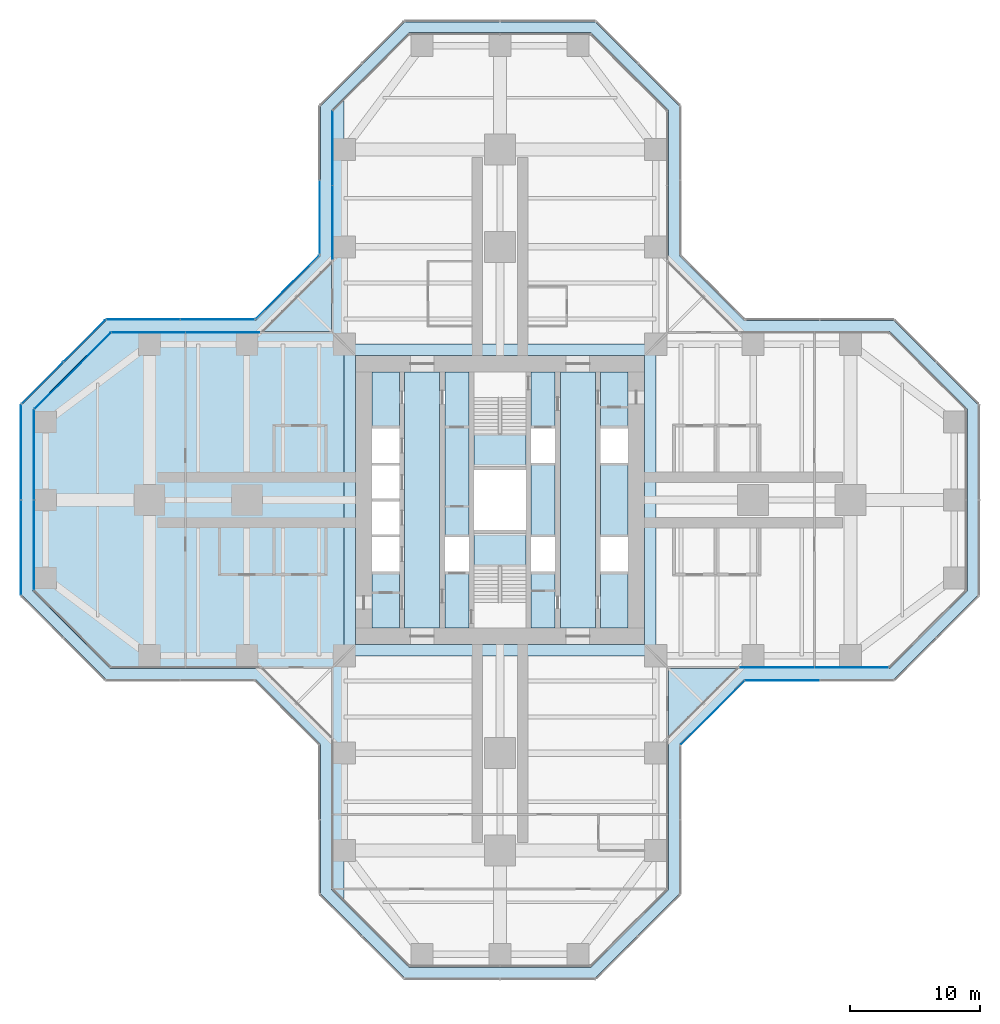
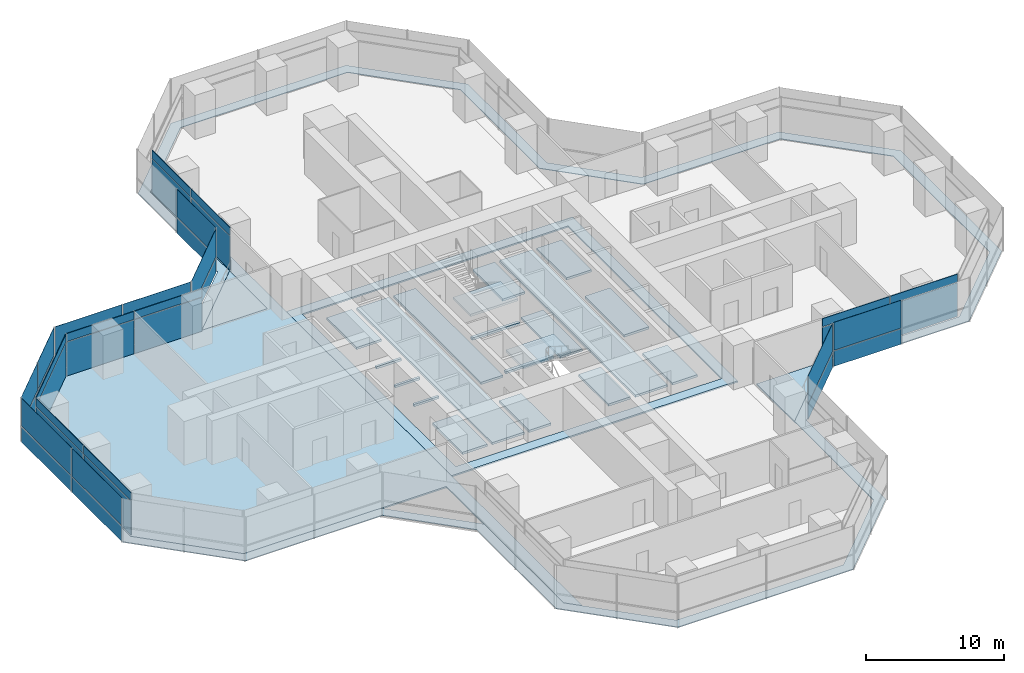
# One storey, part 15 of 22: 39 plates, 7 slabs, 14 elements without a shape of their own.
"""IFC4 building model written with IfcOpenShell, lengths in metres."""

from ifc_helpers import new_model, si_unit, direction, frame, origin, origin_2d, place, context, subcontext, project, spatial, polyline, rectangle, outline, extrude, material, layer, layer_set, type_object, element, aggregate, save


model = new_model("IFC4")

# Units and contexts
model_context = context("Model", 3, precision=1e-05, world=origin(), true_north=direction((0.0, 1.0)))
body_context = subcontext(model_context, "Body", "Model", "MODEL_VIEW")
ifc_project = project(units=[si_unit("LENGTHUNIT", "METRE"), si_unit("AREAUNIT", "SQUARE_METRE"), si_unit("VOLUMEUNIT", "CUBIC_METRE"), si_unit("PLANEANGLEUNIT", "RADIAN"), si_unit("MASSUNIT", "GRAM", prefix="KILO")], contexts=[model_context])

# Site, building, storey
site_placement = place(None, origin())
site = spatial("IfcSite", under=ifc_project, at=site_placement, CompositionType="ELEMENT")
building_placement = place(site_placement, origin())
building = spatial("IfcBuilding", under=site, at=building_placement, Name="Mizan Broadcast Tower", CompositionType="ELEMENT")
storey_placement = place(building_placement, frame((0.0, 0.0, 59.10009765625)))
storey = spatial("IfcBuildingStorey", under=building, at=storey_placement, Name="L11", CompositionType="ELEMENT", Elevation=59.10009765625)

# Plate
ifc_material_1 = material(Name="Aluminium grating", Category="aluminium")
ifc_layer_1 = layer(ifc_material_1, 0.050048828125)
ifc_layer_set_1 = layer_set([ifc_layer_1], Name="Aluminium grating")
plate_type_1 = type_object("IfcPlateType", Name="CAVITY GRATING", PredefinedType="USERDEFINED", material=ifc_layer_set_1)
plate_1_placement = place(storey_placement, frame((0.0, 0.0, -0.050048828125)))
element("IfcPlate", 1, at=plate_1_placement, inside=storey, type_object=plate_type_1, Name="Cavity grating L11", ObjectType="GRATING", PredefinedType="USERDEFINED", context=body_context, shape_type="SweptSolid", body=[
    extrude(outline(polyline([(13.820068359375, -18.839599609375), (18.839599609375, -13.820068359375), (30.339599609375, -13.820068359375), (36.820068359375, -7.339599609375), (36.820068359375, 7.339599609375), (30.339599609375, 13.820068359375), (18.839599609375, 13.820068359375), (13.820068359375, 18.839599609375), (13.820068359375, 30.339599609375), (7.339599609375, 36.820068359375), (-7.339599609375, 36.820068359375), (-13.820068359375, 30.339599609375), (-13.820068359375, 18.839599609375), (-18.839599609375, 13.820068359375), (-30.339599609375, 13.820068359375), (-36.820068359375, 7.339599609375), (-36.820068359375, -7.339599609375), (-30.339599609375, -13.820068359375), (-18.839599609375, -13.820068359375), (-13.820068359375, -18.839599609375), (-13.820068359375, -30.339599609375), (-7.339599609375, -36.820068359375), (7.339599609375, -36.820068359375), (13.820068359375, -30.339599609375), (13.820068359375, -18.839599609375)]), holes=[polyline([(36.0, 7.0), (36.0, -7.0), (30.0, -13.0), (18.5, -13.0), (13.0, -18.5), (13.0, -30.0), (7.0, -36.0), (-7.0, -36.0), (-13.0, -30.0), (-13.0, -18.5), (-18.5, -13.0), (-30.0, -13.0), (-36.0, -7.0), (-36.0, 7.0), (-30.0, 13.0), (-18.5, 13.0), (-13.0, 18.5), (-13.0, 30.0), (-7.0, 36.0), (7.0, 36.0), (13.0, 30.0), (13.0, 18.5), (18.5, 13.0), (30.0, 13.0), (36.0, 7.0)])]), origin(), (0.0, 0.0, 1.0), 0.050048828125),
])

# Slabs
ifc_material_2 = material(Name="Concrete C32/40", Category="concrete")
ifc_layer_2 = layer(ifc_material_2, 0.1298828125)
ifc_layer_set_2 = layer_set([ifc_layer_2], Name="Concrete C32/40")
slab_type_1 = type_object("IfcSlabType", Name="COMPOSITE DECK SLAB 130", PredefinedType="FLOOR", material=ifc_layer_set_2)
slab_1_placement = place(storey_placement, frame((0.0, 0.0, -0.130126953125)))
element("IfcSlab", 2, at=slab_1_placement, inside=storey, type_object=slab_type_1, Name="Floor slab L11 centre", PredefinedType="FLOOR", context=body_context, shape_type="SweptSolid", body=[
    extrude(outline(polyline([(-12.0, -12.0), (12.0, -12.0), (12.0, 12.0), (-12.0, 12.0), (-12.0, -12.0)]), holes=[polyline([(-11.14990234375, 11.14990234375), (11.14990234375, 11.14990234375), (11.14990234375, -11.14990234375), (-11.14990234375, -11.14990234375), (-11.14990234375, 11.14990234375)])]), origin(), (0.0, 0.0, 1.0), 0.130126953125),
])
slab_2_placement = place(storey_placement, frame((0.0, 0.0, -0.130126953125)))
element("IfcSlab", 3, at=slab_2_placement, inside=storey, type_object=slab_type_1, Name="Floor slab L11 west arm", PredefinedType="FLOOR", context=body_context, shape_type="SweptSolid", body=[
    extrude(outline(polyline([(-13.0, -30.0), (-12.0, -31.0), (-12.0, 31.0), (-13.0, 30.0), (-13.0, 13.0), (-30.0, 13.0), (-36.0, 7.0), (-36.0, -7.0), (-30.0, -13.0), (-13.0, -13.0), (-13.0, -30.0)])), origin(), (0.0, 0.0, 1.0), 0.130126953125),
])
ifc_material_3 = material(Name="Concrete C40/50", Category="concrete")
ifc_layer_3 = layer(ifc_material_3, 0.199951171875)
ifc_layer_set_3 = layer_set([ifc_layer_3], Name="Concrete C40/50")
slab_type_2 = type_object("IfcSlabType", Name="CORE FLOOR 200", PredefinedType="FLOOR", material=ifc_layer_set_3)
slab_3_placement = place(storey_placement, frame((0.0, 0.0, -0.2001953125)))
element("IfcSlab", 4, at=slab_3_placement, inside=storey, type_object=slab_type_2, Name="Core floor L11", PredefinedType="FLOOR", context=body_context, shape_type="SweptSolid", body=[
    extrude(outline(polyline([(-9.85009765625, -9.85009765625), (-7.75, -9.85009765625), (-7.75, -5.5), (-9.85009765625, -5.5), (-9.85009765625, -9.85009765625)])), origin(), (0.0, 0.0, 1.0), 0.2001953125),
    extrude(outline(polyline([(-9.85009765625, -2.85009765625), (-7.75, -2.85009765625), (-7.75, -2.64990234375), (-9.85009765625, -2.64990234375), (-9.85009765625, -2.85009765625)])), origin(), (0.0, 0.0, 1.0), 0.2001953125),
    extrude(outline(polyline([(-9.85009765625, -0.10009765625), (-7.75, -0.10009765625), (-7.75, 0.10009765625), (-9.85009765625, 0.10009765625), (-9.85009765625, -0.10009765625)])), origin(), (0.0, 0.0, 1.0), 0.2001953125),
    extrude(outline(polyline([(-9.85009765625, 2.64990234375), (-7.75, 2.64990234375), (-7.75, 2.85009765625), (-9.85009765625, 2.85009765625), (-9.85009765625, 2.64990234375)])), origin(), (0.0, 0.0, 1.0), 0.2001953125),
    extrude(outline(polyline([(-9.85009765625, 5.5), (-7.75, 5.5), (-7.75, 9.85009765625), (-9.85009765625, 9.85009765625), (-9.85009765625, 5.5)])), origin(), (0.0, 0.0, 1.0), 0.2001953125),
    extrude(outline(polyline([(-4.64990234375, 9.85009765625), (-7.35009765625, 9.85009765625), (-7.35009765625, -9.85009765625), (-4.64990234375, -9.85009765625), (-4.64990234375, 9.85009765625)])), origin(), (0.0, 0.0, 1.0), 0.2001953125),
    extrude(outline(polyline([(-4.25, -5.5), (-4.25, -9.85009765625), (-2.39990234375, -9.85009765625), (-2.39990234375, -5.5), (-4.25, -5.5)])), origin(), (0.0, 0.0, 1.0), 0.2001953125),
    extrude(outline(polyline([(-4.25, -2.85009765625), (-2.39990234375, -2.85009765625), (-2.39990234375, 9.85009765625), (-4.25, 9.85009765625), (-4.25, -2.85009765625)])), origin(), (0.0, 0.0, 1.0), 0.2001953125),
    extrude(outline(polyline([(2.0, -2.324951171875), (-2.0, -2.324951171875), (-2.0, -2.574951171875), (2.0, -2.574951171875), (2.0, -2.324951171875)])), origin(), (0.0, 0.0, 1.0), 0.2001953125),
    extrude(outline(polyline([(2.0, 2.574951171875), (-2.0, 2.574951171875), (-2.0, 2.324951171875), (2.0, 2.324951171875), (2.0, 2.574951171875)])), origin(), (0.0, 0.0, 1.0), 0.2001953125),
    extrude(outline(polyline([(4.25, -9.85009765625), (4.25, -5.5), (2.39990234375, -5.5), (2.39990234375, -9.85009765625), (4.25, -9.85009765625)])), origin(), (0.0, 0.0, 1.0), 0.2001953125),
    extrude(outline(polyline([(4.25, -2.85009765625), (4.25, 2.85009765625), (2.39990234375, 2.85009765625), (2.39990234375, -2.85009765625), (4.25, -2.85009765625)])), origin(), (0.0, 0.0, 1.0), 0.2001953125),
    extrude(outline(polyline([(4.25, 5.5), (4.25, 9.85009765625), (2.39990234375, 9.85009765625), (2.39990234375, 5.5), (4.25, 5.5)])), origin(), (0.0, 0.0, 1.0), 0.2001953125),
    extrude(outline(polyline([(4.64990234375, 9.85009765625), (4.64990234375, -9.85009765625), (7.35009765625, -9.85009765625), (7.35009765625, 9.85009765625), (4.64990234375, 9.85009765625)])), origin(), (0.0, 0.0, 1.0), 0.2001953125),
    extrude(outline(polyline([(9.85009765625, -9.85009765625), (9.85009765625, -5.5), (7.75, -5.5), (7.75, -9.85009765625), (9.85009765625, -9.85009765625)])), origin(), (0.0, 0.0, 1.0), 0.2001953125),
    extrude(outline(polyline([(7.75, 2.85009765625), (7.75, -2.85009765625), (9.85009765625, -2.85009765625), (9.85009765625, 2.85009765625), (7.75, 2.85009765625)])), origin(), (0.0, 0.0, 1.0), 0.2001953125),
    extrude(outline(polyline([(9.85009765625, 5.5), (9.85009765625, 9.85009765625), (7.75, 9.85009765625), (7.75, 5.5), (9.85009765625, 5.5)])), origin(), (0.0, 0.0, 1.0), 0.2001953125),
])

# Curtain wall, plates
ifc_material_4 = material(Name="Aluminium framed glazing", Category="aluminium")
curtain_wall_type_1 = type_object("IfcCurtainWallType", Name="INNER SKIN LOW ZONE", PredefinedType="USERDEFINED", material=ifc_material_4)
curtain_wall_1_placement = place(storey_placement, origin())
curtain_wall_1 = element("IfcCurtainWall", 5, at=curtain_wall_1_placement, inside=storey, type_object=curtain_wall_type_1, Name="Inner skin low zone L11 E side", ObjectType="INNER SKIN LOW ZONE", PredefinedType="USERDEFINED")
ifc_material_5 = material(Name="Double glazing, clear low-e", Category="glass")
ifc_layer_4 = layer(ifc_material_5, 0.028076171875)
ifc_layer_set_4 = layer_set([ifc_layer_4], Name="Double glazing, clear low-e")
plate_type_2 = type_object("IfcPlateType", Name="INNER SKIN GLAZING UNIT", PredefinedType="CURTAIN_PANEL", material=ifc_layer_set_4)
plate_2_placement = place(storey_placement, frame((21.379638671875, -12.89990234375, 0.0), z_axis=(0.0, 0.0, 1.0), x_axis=(1.0, 0.0, 0.0)))
plate_2 = element("IfcPlate", 6, at=plate_2_placement, type_object=plate_type_2, Name="Inner skin low zone L11 E side panel 1.1", PredefinedType="CURTAIN_PANEL", context=body_context, shape_type="SweptSolid", body=[
    extrude(rectangle(XDim=5.639404296875, YDim=0.028076171875, at=origin_2d()), origin(), (0.0, 0.0, 1.0), 3.0),
])
plate_3_placement = place(storey_placement, frame((27.078857421875, -12.89990234375, 0.0), z_axis=(0.0, 0.0, 1.0), x_axis=(1.0, 0.0, 0.0)))
plate_3 = element("IfcPlate", 7, at=plate_3_placement, type_object=plate_type_2, Name="Inner skin low zone L11 E side panel 2.1", PredefinedType="CURTAIN_PANEL", context=body_context, shape_type="SweptSolid", body=[
    extrude(rectangle(XDim=5.639404296875, YDim=0.028076171875, at=origin_2d()), origin(), (0.0, 0.0, 1.0), 3.0),
])

curtain_wall_2_placement = place(storey_placement, origin())
curtain_wall_2 = element("IfcCurtainWall", 8, at=curtain_wall_2_placement, inside=storey, type_object=curtain_wall_type_1, Name="Inner skin low zone L11 N side", ObjectType="INNER SKIN LOW ZONE", PredefinedType="USERDEFINED")
plate_4_placement = place(storey_placement, frame((-12.89990234375, 27.078857421875, 0.0), z_axis=(0.0, 0.0, 1.0), x_axis=(0.0, -1.0, 0.0)))
plate_4 = element("IfcPlate", 9, at=plate_4_placement, type_object=plate_type_2, Name="Inner skin low zone L11 N side panel 1.1", PredefinedType="CURTAIN_PANEL", context=body_context, shape_type="SweptSolid", body=[
    extrude(rectangle(XDim=5.639404296875, YDim=0.028076171875, at=origin_2d()), origin(), (0.0, 0.0, 1.0), 3.0),
])
plate_5_placement = place(storey_placement, frame((-12.89990234375, 21.379638671875, 0.0), z_axis=(0.0, 0.0, 1.0), x_axis=(0.0, -1.0, 0.0)))
plate_5 = element("IfcPlate", 10, at=plate_5_placement, type_object=plate_type_2, Name="Inner skin low zone L11 N side panel 2.1", PredefinedType="CURTAIN_PANEL", context=body_context, shape_type="SweptSolid", body=[
    extrude(rectangle(XDim=5.639404296875, YDim=0.028076171875, at=origin_2d()), origin(), (0.0, 0.0, 1.0), 3.0),
])

curtain_wall_3_placement = place(storey_placement, origin())
curtain_wall_3 = element("IfcCurtainWall", 11, at=curtain_wall_3_placement, inside=storey, type_object=curtain_wall_type_1, Name="Inner skin low zone L11 W side", ObjectType="INNER SKIN LOW ZONE", PredefinedType="USERDEFINED")
plate_6_placement = place(storey_placement, frame((-21.379638671875, 12.89990234375, 0.0), z_axis=(0.0, 0.0, 1.0), x_axis=(-1.0, 0.0, 0.0)))
plate_6 = element("IfcPlate", 12, at=plate_6_placement, type_object=plate_type_2, Name="Inner skin low zone L11 W side panel 1.1", PredefinedType="CURTAIN_PANEL", context=body_context, shape_type="SweptSolid", body=[
    extrude(rectangle(XDim=5.639404296875, YDim=0.028076171875, at=origin_2d()), origin(), (0.0, 0.0, 1.0), 3.0),
])
plate_7_placement = place(storey_placement, frame((-27.078857421875, 12.89990234375, 0.0), z_axis=(0.0, 0.0, 1.0), x_axis=(-1.0, 0.0, 0.0)))
plate_7 = element("IfcPlate", 13, at=plate_7_placement, type_object=plate_type_2, Name="Inner skin low zone L11 W side panel 2.1", PredefinedType="CURTAIN_PANEL", context=body_context, shape_type="SweptSolid", body=[
    extrude(rectangle(XDim=5.639404296875, YDim=0.028076171875, at=origin_2d()), origin(), (0.0, 0.0, 1.0), 3.0),
])

# Curtain wall, plate
curtain_wall_4_placement = place(storey_placement, origin())
curtain_wall_4 = element("IfcCurtainWall", 14, at=curtain_wall_4_placement, inside=storey, type_object=curtain_wall_type_1, Name="Inner skin low zone L11 W chamfer", ObjectType="INNER SKIN LOW ZONE", PredefinedType="USERDEFINED")
plate_8_placement = place(storey_placement, frame((-32.92919921875, 9.92919921875, 0.0), z_axis=(0.0, 0.0, 1.0), x_axis=(-0.707106781187, -0.707106781187, 0.0)))
plate_8 = element("IfcPlate", 15, at=plate_8_placement, type_object=plate_type_2, Name="Inner skin low zone L11 W chamfer panel 1.1", PredefinedType="CURTAIN_PANEL", context=body_context, shape_type="SweptSolid", body=[
    extrude(rectangle(XDim=8.282470703125, YDim=0.028076171875, at=origin_2d()), origin(), (0.0, 0.0, 1.0), 3.0),
])

# Curtain wall, plates
curtain_wall_5_placement = place(storey_placement, origin())
curtain_wall_5 = element("IfcCurtainWall", 16, at=curtain_wall_5_placement, inside=storey, type_object=curtain_wall_type_1, Name="Inner skin low zone L11 W end", ObjectType="INNER SKIN LOW ZONE", PredefinedType="USERDEFINED")
plate_9_placement = place(storey_placement, frame((-35.89990234375, 3.46435546875, 0.0), z_axis=(0.0, 0.0, 1.0), x_axis=(0.0, -1.0, 0.0)))
plate_9 = element("IfcPlate", 17, at=plate_9_placement, type_object=plate_type_2, Name="Inner skin low zone L11 W end panel 1.1", PredefinedType="CURTAIN_PANEL", context=body_context, shape_type="SweptSolid", body=[
    extrude(rectangle(XDim=6.86865234375, YDim=0.028076171875, at=origin_2d()), origin(), (0.0, 0.0, 1.0), 3.0),
])
plate_10_placement = place(storey_placement, frame((-35.89990234375, -3.46435546875, 0.0), z_axis=(0.0, 0.0, 1.0), x_axis=(0.0, -1.0, 0.0)))
plate_10 = element("IfcPlate", 18, at=plate_10_placement, type_object=plate_type_2, Name="Inner skin low zone L11 W end panel 2.1", PredefinedType="CURTAIN_PANEL", context=body_context, shape_type="SweptSolid", body=[
    extrude(rectangle(XDim=6.86865234375, YDim=0.028076171875, at=origin_2d()), origin(), (0.0, 0.0, 1.0), 3.0),
])

# Plate
ifc_material_6 = material(Name="Insulated aluminium spandrel panel, pale anodised", Category="aluminium")
ifc_layer_5 = layer(ifc_material_6, 0.050048828125)
ifc_layer_set_5 = layer_set([ifc_layer_5], Name="Insulated aluminium spandrel panel, pale anodised")
plate_type_3 = type_object("IfcPlateType", Name="INNER SKIN SPANDREL PANEL", PredefinedType="CURTAIN_PANEL", material=ifc_layer_set_5)
plate_11_placement = place(storey_placement, frame((21.379638671875, -12.89990234375, 3.059814453125), z_axis=(0.0, 0.0, 1.0), x_axis=(1.0, 0.0, 0.0)))
plate_11 = element("IfcPlate", 19, at=plate_11_placement, type_object=plate_type_3, Name="Inner skin low zone L11 E side panel 1.2", PredefinedType="CURTAIN_PANEL", context=body_context, shape_type="SweptSolid", body=[
    extrude(rectangle(XDim=5.639404296875, YDim=0.050048828125, at=origin_2d()), origin(), (0.0, 0.0, 1.0), 0.7099609375),
])

plate_12_placement = place(storey_placement, frame((27.078857421875, -12.89990234375, 3.059814453125), z_axis=(0.0, 0.0, 1.0), x_axis=(1.0, 0.0, 0.0)))
plate_12 = element("IfcPlate", 20, at=plate_12_placement, type_object=plate_type_3, Name="Inner skin low zone L11 E side panel 2.2", PredefinedType="CURTAIN_PANEL", context=body_context, shape_type="SweptSolid", body=[
    extrude(rectangle(XDim=5.639404296875, YDim=0.050048828125, at=origin_2d()), origin(), (0.0, 0.0, 1.0), 0.7099609375),
])

aggregate(curtain_wall_1, [plate_2, plate_11, plate_3, plate_12])

plate_13_placement = place(storey_placement, frame((-12.89990234375, 27.078857421875, 3.059814453125), z_axis=(0.0, 0.0, 1.0), x_axis=(0.0, -1.0, 0.0)))
plate_13 = element("IfcPlate", 21, at=plate_13_placement, type_object=plate_type_3, Name="Inner skin low zone L11 N side panel 1.2", PredefinedType="CURTAIN_PANEL", context=body_context, shape_type="SweptSolid", body=[
    extrude(rectangle(XDim=5.639404296875, YDim=0.050048828125, at=origin_2d()), origin(), (0.0, 0.0, 1.0), 0.7099609375),
])

plate_14_placement = place(storey_placement, frame((-12.89990234375, 21.379638671875, 3.059814453125), z_axis=(0.0, 0.0, 1.0), x_axis=(0.0, -1.0, 0.0)))
plate_14 = element("IfcPlate", 22, at=plate_14_placement, type_object=plate_type_3, Name="Inner skin low zone L11 N side panel 2.2", PredefinedType="CURTAIN_PANEL", context=body_context, shape_type="SweptSolid", body=[
    extrude(rectangle(XDim=5.639404296875, YDim=0.050048828125, at=origin_2d()), origin(), (0.0, 0.0, 1.0), 0.7099609375),
])

aggregate(curtain_wall_2, [plate_4, plate_13, plate_5, plate_14])

plate_15_placement = place(storey_placement, frame((-21.379638671875, 12.89990234375, 3.059814453125), z_axis=(0.0, 0.0, 1.0), x_axis=(-1.0, 0.0, 0.0)))
plate_15 = element("IfcPlate", 23, at=plate_15_placement, type_object=plate_type_3, Name="Inner skin low zone L11 W side panel 1.2", PredefinedType="CURTAIN_PANEL", context=body_context, shape_type="SweptSolid", body=[
    extrude(rectangle(XDim=5.639404296875, YDim=0.050048828125, at=origin_2d()), origin(), (0.0, 0.0, 1.0), 0.7099609375),
])

plate_16_placement = place(storey_placement, frame((-27.078857421875, 12.89990234375, 3.059814453125), z_axis=(0.0, 0.0, 1.0), x_axis=(-1.0, 0.0, 0.0)))
plate_16 = element("IfcPlate", 24, at=plate_16_placement, type_object=plate_type_3, Name="Inner skin low zone L11 W side panel 2.2", PredefinedType="CURTAIN_PANEL", context=body_context, shape_type="SweptSolid", body=[
    extrude(rectangle(XDim=5.639404296875, YDim=0.050048828125, at=origin_2d()), origin(), (0.0, 0.0, 1.0), 0.7099609375),
])

aggregate(curtain_wall_3, [plate_6, plate_15, plate_7, plate_16])

plate_17_placement = place(storey_placement, frame((-32.92919921875, 9.92919921875, 3.059814453125), z_axis=(0.0, 0.0, 1.0), x_axis=(-0.707106781187, -0.707106781187, 0.0)))
plate_17 = element("IfcPlate", 25, at=plate_17_placement, type_object=plate_type_3, Name="Inner skin low zone L11 W chamfer panel 1.2", PredefinedType="CURTAIN_PANEL", context=body_context, shape_type="SweptSolid", body=[
    extrude(rectangle(XDim=8.282470703125, YDim=0.050048828125, at=origin_2d()), origin(), (0.0, 0.0, 1.0), 0.7099609375),
])

aggregate(curtain_wall_4, [plate_8, plate_17])

plate_18_placement = place(storey_placement, frame((-35.89990234375, 3.46435546875, 3.059814453125), z_axis=(0.0, 0.0, 1.0), x_axis=(0.0, -1.0, 0.0)))
plate_18 = element("IfcPlate", 26, at=plate_18_placement, type_object=plate_type_3, Name="Inner skin low zone L11 W end panel 1.2", PredefinedType="CURTAIN_PANEL", context=body_context, shape_type="SweptSolid", body=[
    extrude(rectangle(XDim=6.86865234375, YDim=0.050048828125, at=origin_2d()), origin(), (0.0, 0.0, 1.0), 0.7099609375),
])

plate_19_placement = place(storey_placement, frame((-35.89990234375, -3.46435546875, 3.059814453125), z_axis=(0.0, 0.0, 1.0), x_axis=(0.0, -1.0, 0.0)))
plate_19 = element("IfcPlate", 27, at=plate_19_placement, type_object=plate_type_3, Name="Inner skin low zone L11 W end panel 2.2", PredefinedType="CURTAIN_PANEL", context=body_context, shape_type="SweptSolid", body=[
    extrude(rectangle(XDim=6.86865234375, YDim=0.050048828125, at=origin_2d()), origin(), (0.0, 0.0, 1.0), 0.7099609375),
])

aggregate(curtain_wall_5, [plate_9, plate_18, plate_10, plate_19])

# Curtain wall, plates
ifc_material_7 = material(Name="Aluminium framed glazing", Category="aluminium")
curtain_wall_type_2 = type_object("IfcCurtainWallType", Name="OUTER SKIN", PredefinedType="USERDEFINED", material=ifc_material_7)
curtain_wall_6_placement = place(storey_placement, origin())
curtain_wall_6 = element("IfcCurtainWall", 28, at=curtain_wall_6_placement, inside=storey, type_object=curtain_wall_type_2, Name="Outer skin L11 W chamfer", ObjectType="OUTER SKIN", PredefinedType="USERDEFINED")
ifc_material_8 = material(Name="Laminated clear glass", Category="glass")
ifc_layer_6 = layer(ifc_material_8, 0.02001953125)
ifc_layer_set_6 = layer_set([ifc_layer_6], Name="Laminated clear glass")
plate_type_4 = type_object("IfcPlateType", Name="OUTER SKIN CLEAR GLASS", PredefinedType="CURTAIN_PANEL", material=ifc_layer_set_6)
plate_20_placement = place(storey_placement, frame((-16.386474609375, 16.386474609375, -0.000244140625), z_axis=(0.0, 0.0, 1.0), x_axis=(-0.707106781187, -0.707106781187, 0.0)))
plate_20 = element("IfcPlate", 29, at=plate_20_placement, type_object=plate_type_4, Name="Outer skin L11 W chamfer panel 1.1", PredefinedType="CURTAIN_PANEL", context=body_context, shape_type="SweptSolid", body=[
    extrude(rectangle(XDim=6.87255859375, YDim=0.02001953125, at=origin_2d()), origin(), (0.0, 0.0, 1.0), 1.3701171875),
])
plate_21_placement = place(storey_placement, frame((-16.386474609375, 16.386474609375, 1.4296875), z_axis=(0.0, 0.0, 1.0), x_axis=(-0.707106781187, -0.707106781187, 0.0)))
plate_21 = element("IfcPlate", 30, at=plate_21_placement, type_object=plate_type_4, Name="Outer skin L11 W chamfer panel 1.2", PredefinedType="CURTAIN_PANEL", context=body_context, shape_type="SweptSolid", body=[
    extrude(rectangle(XDim=6.87255859375, YDim=0.02001953125, at=origin_2d()), origin(), (0.0, 0.0, 1.0), 2.469970703125),
])
aggregate(curtain_wall_6, [plate_20, plate_21])

curtain_wall_7_placement = place(storey_placement, origin())
curtain_wall_7 = element("IfcCurtainWall", 31, at=curtain_wall_7_placement, inside=storey, type_object=curtain_wall_type_2, Name="Outer skin L11 W side", ObjectType="OUTER SKIN", PredefinedType="USERDEFINED")
plate_22_placement = place(storey_placement, frame((-21.767822265625, 13.89990234375, -0.000244140625), z_axis=(0.0, 0.0, 1.0), x_axis=(-1.0, 0.0, 0.0)))
plate_22 = element("IfcPlate", 32, at=plate_22_placement, type_object=plate_type_4, Name="Outer skin L11 W side panel 1.1", PredefinedType="CURTAIN_PANEL", context=body_context, shape_type="SweptSolid", body=[
    extrude(rectangle(XDim=5.6298828125, YDim=0.02001953125, at=origin_2d()), origin(), (0.0, 0.0, 1.0), 1.3701171875),
])
plate_23_placement = place(storey_placement, frame((-21.767822265625, 13.89990234375, 1.4296875), z_axis=(0.0, 0.0, 1.0), x_axis=(-1.0, 0.0, 0.0)))
plate_23 = element("IfcPlate", 33, at=plate_23_placement, type_object=plate_type_4, Name="Outer skin L11 W side panel 1.2", PredefinedType="CURTAIN_PANEL", context=body_context, shape_type="SweptSolid", body=[
    extrude(rectangle(XDim=5.6298828125, YDim=0.02001953125, at=origin_2d()), origin(), (0.0, 0.0, 1.0), 2.469970703125),
])
plate_24_placement = place(storey_placement, frame((-27.477783203125, 13.89990234375, -0.000244140625), z_axis=(0.0, 0.0, 1.0), x_axis=(-1.0, 0.0, 0.0)))
plate_24 = element("IfcPlate", 34, at=plate_24_placement, type_object=plate_type_4, Name="Outer skin L11 W side panel 2.1", PredefinedType="CURTAIN_PANEL", context=body_context, shape_type="SweptSolid", body=[
    extrude(rectangle(XDim=5.6298828125, YDim=0.02001953125, at=origin_2d()), origin(), (0.0, 0.0, 1.0), 1.3701171875),
])
plate_25_placement = place(storey_placement, frame((-27.477783203125, 13.89990234375, 1.4296875), z_axis=(0.0, 0.0, 1.0), x_axis=(-1.0, 0.0, 0.0)))
plate_25 = element("IfcPlate", 35, at=plate_25_placement, type_object=plate_type_4, Name="Outer skin L11 W side panel 2.2", PredefinedType="CURTAIN_PANEL", context=body_context, shape_type="SweptSolid", body=[
    extrude(rectangle(XDim=5.6298828125, YDim=0.02001953125, at=origin_2d()), origin(), (0.0, 0.0, 1.0), 2.469970703125),
])
aggregate(curtain_wall_7, [plate_22, plate_23, plate_24, plate_25])

curtain_wall_8_placement = place(storey_placement, origin())
curtain_wall_8 = element("IfcCurtainWall", 36, at=curtain_wall_8_placement, inside=storey, type_object=curtain_wall_type_2, Name="Outer skin L11 W chamfer", ObjectType="OUTER SKIN", PredefinedType="USERDEFINED")
plate_26_placement = place(storey_placement, frame((-32.018798828125, 12.254150390625, -0.000244140625), z_axis=(0.0, 0.0, 1.0), x_axis=(-0.707106781187, -0.707106781187, 0.0)))
plate_26 = element("IfcPlate", 37, at=plate_26_placement, type_object=plate_type_4, Name="Outer skin L11 W chamfer panel 1.1", PredefinedType="CURTAIN_PANEL", context=body_context, shape_type="SweptSolid", body=[
    extrude(rectangle(XDim=4.495361328125, YDim=0.02001953125, at=origin_2d()), origin(), (0.0, 0.0, 1.0), 1.3701171875),
])
plate_27_placement = place(storey_placement, frame((-32.018798828125, 12.254150390625, 1.4296875), z_axis=(0.0, 0.0, 1.0), x_axis=(-0.707106781187, -0.707106781187, 0.0)))
plate_27 = element("IfcPlate", 38, at=plate_27_placement, type_object=plate_type_4, Name="Outer skin L11 W chamfer panel 1.2", PredefinedType="CURTAIN_PANEL", context=body_context, shape_type="SweptSolid", body=[
    extrude(rectangle(XDim=4.495361328125, YDim=0.02001953125, at=origin_2d()), origin(), (0.0, 0.0, 1.0), 2.469970703125),
])

curtain_wall_9_placement = place(storey_placement, origin())
curtain_wall_9 = element("IfcCurtainWall", 39, at=curtain_wall_9_placement, inside=storey, type_object=curtain_wall_type_2, Name="Outer skin L11 W end", ObjectType="OUTER SKIN", PredefinedType="USERDEFINED")
plate_28_placement = place(storey_placement, frame((-36.89990234375, 3.66650390625, -0.000244140625), z_axis=(0.0, 0.0, 1.0), x_axis=(0.0, -1.0, 0.0)))
plate_28 = element("IfcPlate", 40, at=plate_28_placement, type_object=plate_type_4, Name="Outer skin L11 W end panel 1.1", PredefinedType="CURTAIN_PANEL", context=body_context, shape_type="SweptSolid", body=[
    extrude(rectangle(XDim=7.252685546875, YDim=0.02001953125, at=origin_2d()), origin(), (0.0, 0.0, 1.0), 1.3701171875),
])
plate_29_placement = place(storey_placement, frame((-36.89990234375, 3.66650390625, 1.4296875), z_axis=(0.0, 0.0, 1.0), x_axis=(0.0, -1.0, 0.0)))
plate_29 = element("IfcPlate", 41, at=plate_29_placement, type_object=plate_type_4, Name="Outer skin L11 W end panel 1.2", PredefinedType="CURTAIN_PANEL", context=body_context, shape_type="SweptSolid", body=[
    extrude(rectangle(XDim=7.252685546875, YDim=0.02001953125, at=origin_2d()), origin(), (0.0, 0.0, 1.0), 2.469970703125),
])

curtain_wall_10_placement = place(storey_placement, origin())
curtain_wall_10 = element("IfcCurtainWall", 42, at=curtain_wall_10_placement, inside=storey, type_object=curtain_wall_type_2, Name="Outer skin L11 E chamfer", ObjectType="OUTER SKIN", PredefinedType="USERDEFINED")
plate_30_placement = place(storey_placement, frame((16.386474609375, -16.386474609375, -0.000244140625), z_axis=(0.0, 0.0, 1.0), x_axis=(0.707106781187, 0.707106781187, 0.0)))
plate_30 = element("IfcPlate", 43, at=plate_30_placement, type_object=plate_type_4, Name="Outer skin L11 E chamfer panel 1.1", PredefinedType="CURTAIN_PANEL", context=body_context, shape_type="SweptSolid", body=[
    extrude(rectangle(XDim=6.87255859375, YDim=0.02001953125, at=origin_2d()), origin(), (0.0, 0.0, 1.0), 1.3701171875),
])
plate_31_placement = place(storey_placement, frame((16.386474609375, -16.386474609375, 1.4296875), z_axis=(0.0, 0.0, 1.0), x_axis=(0.707106781187, 0.707106781187, 0.0)))
plate_31 = element("IfcPlate", 44, at=plate_31_placement, type_object=plate_type_4, Name="Outer skin L11 E chamfer panel 1.2", PredefinedType="CURTAIN_PANEL", context=body_context, shape_type="SweptSolid", body=[
    extrude(rectangle(XDim=6.87255859375, YDim=0.02001953125, at=origin_2d()), origin(), (0.0, 0.0, 1.0), 2.469970703125),
])
aggregate(curtain_wall_10, [plate_30, plate_31])

curtain_wall_11_placement = place(storey_placement, origin())
curtain_wall_11 = element("IfcCurtainWall", 45, at=curtain_wall_11_placement, inside=storey, type_object=curtain_wall_type_2, Name="Outer skin L11 E side", ObjectType="OUTER SKIN", PredefinedType="USERDEFINED")
plate_32_placement = place(storey_placement, frame((21.767822265625, -13.89990234375, -0.000244140625), z_axis=(0.0, 0.0, 1.0), x_axis=(1.0, 0.0, 0.0)))
plate_32 = element("IfcPlate", 46, at=plate_32_placement, type_object=plate_type_4, Name="Outer skin L11 E side panel 1.1", PredefinedType="CURTAIN_PANEL", context=body_context, shape_type="SweptSolid", body=[
    extrude(rectangle(XDim=5.6298828125, YDim=0.02001953125, at=origin_2d()), origin(), (0.0, 0.0, 1.0), 1.3701171875),
])
plate_33_placement = place(storey_placement, frame((21.767822265625, -13.89990234375, 1.4296875), z_axis=(0.0, 0.0, 1.0), x_axis=(1.0, 0.0, 0.0)))
plate_33 = element("IfcPlate", 47, at=plate_33_placement, type_object=plate_type_4, Name="Outer skin L11 E side panel 1.2", PredefinedType="CURTAIN_PANEL", context=body_context, shape_type="SweptSolid", body=[
    extrude(rectangle(XDim=5.6298828125, YDim=0.02001953125, at=origin_2d()), origin(), (0.0, 0.0, 1.0), 2.469970703125),
])
aggregate(curtain_wall_11, [plate_32, plate_33])

curtain_wall_12_placement = place(storey_placement, origin())
curtain_wall_12 = element("IfcCurtainWall", 48, at=curtain_wall_12_placement, inside=storey, type_object=curtain_wall_type_2, Name="Outer skin L11 N side", ObjectType="OUTER SKIN", PredefinedType="USERDEFINED")
ifc_material_9 = material(Name="Perforated aluminium, pale anodised", Category="aluminium")
ifc_layer_7 = layer(ifc_material_9, 0.011962890625)
ifc_layer_set_7 = layer_set([ifc_layer_7], Name="Perforated aluminium, pale anodised")
plate_type_5 = type_object("IfcPlateType", Name="OUTER SKIN PERFORATED SCREEN", PredefinedType="USERDEFINED", material=ifc_layer_set_7)
plate_34_placement = place(storey_placement, frame((-13.89990234375, 21.767822265625, -0.000244140625), z_axis=(0.0, 0.0, 1.0), x_axis=(0.0, -1.0, 0.0)))
plate_34 = element("IfcPlate", 49, at=plate_34_placement, type_object=plate_type_5, Name="Outer skin L11 N side panel 2.1", ObjectType="SCREEN", PredefinedType="USERDEFINED", context=body_context, shape_type="SweptSolid", body=[
    extrude(rectangle(XDim=5.6298828125, YDim=0.011962890625, at=origin_2d()), origin(), (0.0, 0.0, 1.0), 1.3701171875),
])
plate_35_placement = place(storey_placement, frame((-13.89990234375, 21.767822265625, 1.4296875), z_axis=(0.0, 0.0, 1.0), x_axis=(0.0, -1.0, 0.0)))
plate_35 = element("IfcPlate", 50, at=plate_35_placement, type_object=plate_type_5, Name="Outer skin L11 N side panel 2.2", ObjectType="SCREEN", PredefinedType="USERDEFINED", context=body_context, shape_type="SweptSolid", body=[
    extrude(rectangle(XDim=5.6298828125, YDim=0.011962890625, at=origin_2d()), origin(), (0.0, 0.0, 1.0), 2.469970703125),
])
aggregate(curtain_wall_12, [plate_34, plate_35])

# Plate
plate_36_placement = place(storey_placement, frame((-35.254150390625, 9.018798828125, -0.000244140625), z_axis=(0.0, 0.0, 1.0), x_axis=(-0.707106781187, -0.707106781187, 0.0)))
plate_36 = element("IfcPlate", 51, at=plate_36_placement, type_object=plate_type_5, Name="Outer skin L11 W chamfer panel 2.1", ObjectType="SCREEN", PredefinedType="USERDEFINED", context=body_context, shape_type="SweptSolid", body=[
    extrude(rectangle(XDim=4.495361328125, YDim=0.011962890625, at=origin_2d()), origin(), (0.0, 0.0, 1.0), 1.3701171875),
])

plate_37_placement = place(storey_placement, frame((-35.254150390625, 9.018798828125, 1.4296875), z_axis=(0.0, 0.0, 1.0), x_axis=(-0.707106781187, -0.707106781187, 0.0)))
plate_37 = element("IfcPlate", 52, at=plate_37_placement, type_object=plate_type_5, Name="Outer skin L11 W chamfer panel 2.2", ObjectType="SCREEN", PredefinedType="USERDEFINED", context=body_context, shape_type="SweptSolid", body=[
    extrude(rectangle(XDim=4.495361328125, YDim=0.011962890625, at=origin_2d()), origin(), (0.0, 0.0, 1.0), 2.469970703125),
])

aggregate(curtain_wall_8, [plate_26, plate_27, plate_36, plate_37])

plate_38_placement = place(storey_placement, frame((-36.89990234375, -3.66650390625, -0.000244140625), z_axis=(0.0, 0.0, 1.0), x_axis=(0.0, -1.0, 0.0)))
plate_38 = element("IfcPlate", 53, at=plate_38_placement, type_object=plate_type_5, Name="Outer skin L11 W end panel 2.1", ObjectType="SCREEN", PredefinedType="USERDEFINED", context=body_context, shape_type="SweptSolid", body=[
    extrude(rectangle(XDim=7.252685546875, YDim=0.011962890625, at=origin_2d()), origin(), (0.0, 0.0, 1.0), 1.3701171875),
])

plate_39_placement = place(storey_placement, frame((-36.89990234375, -3.66650390625, 1.4296875), z_axis=(0.0, 0.0, 1.0), x_axis=(0.0, -1.0, 0.0)))
plate_39 = element("IfcPlate", 54, at=plate_39_placement, type_object=plate_type_5, Name="Outer skin L11 W end panel 2.2", ObjectType="SCREEN", PredefinedType="USERDEFINED", context=body_context, shape_type="SweptSolid", body=[
    extrude(rectangle(XDim=7.252685546875, YDim=0.011962890625, at=origin_2d()), origin(), (0.0, 0.0, 1.0), 2.469970703125),
])

aggregate(curtain_wall_9, [plate_28, plate_29, plate_38, plate_39])

# Stair, slab
ifc_material_10 = material(Name="Concrete C40/50", Category="concrete")
stair_type = type_object("IfcStairType", Name="EXIT STAIR", PredefinedType="HALF_TURN_STAIR", material=ifc_material_10)
stair_1_placement = place(storey_placement, origin())
stair_1 = element("IfcStair", 55, at=stair_1_placement, inside=storey, type_object=stair_type, Name="Stair A L11", PredefinedType="HALF_TURN_STAIR")
ifc_material_11 = material(Name="Concrete C40/50", Category="concrete")
ifc_layer_8 = layer(ifc_material_11, 0.199951171875)
ifc_layer_set_8 = layer_set([ifc_layer_8], Name="Concrete C40/50")
slab_type_3 = type_object("IfcSlabType", Name="STAIR LANDING 200", PredefinedType="LANDING", material=ifc_layer_set_8)
slab_4_placement = place(storey_placement, frame((0.0, 0.0, 1.75)))
slab_4 = element("IfcSlab", 56, at=slab_4_placement, type_object=slab_type_3, Name="A landing 2", PredefinedType="LANDING", context=body_context, shape_type="SweptSolid", body=[
    extrude(outline(polyline([(-2.0, -5.10009765625), (-2.0, -2.574951171875), (2.0, -2.574951171875), (2.0, -5.10009765625), (-2.0, -5.10009765625)])), origin(), (0.0, 0.0, 1.0), 0.199951171875),
])
aggregate(stair_1, [slab_4])

stair_2_placement = place(storey_placement, origin())
stair_2 = element("IfcStair", 57, at=stair_2_placement, inside=storey, type_object=stair_type, Name="Stair B L11", PredefinedType="HALF_TURN_STAIR")
slab_5_placement = place(storey_placement, frame((0.0, 0.0, 1.75)))
slab_5 = element("IfcSlab", 58, at=slab_5_placement, type_object=slab_type_3, Name="B landing 2", PredefinedType="LANDING", context=body_context, shape_type="SweptSolid", body=[
    extrude(outline(polyline([(2.0, 5.10009765625), (2.0, 2.574951171875), (-2.0, 2.574951171875), (-2.0, 5.10009765625), (2.0, 5.10009765625)])), origin(), (0.0, 0.0, 1.0), 0.199951171875),
])
aggregate(stair_2, [slab_5])

# Slabs
ifc_material_12 = material(Name="Concrete C32/40", Category="concrete")
ifc_layer_9 = layer(ifc_material_12, 0.1298828125)
ifc_layer_set_9 = layer_set([ifc_layer_9], Name="Concrete C32/40")
slab_type_4 = type_object("IfcSlabType", Name="WINTER GARDEN SLAB 130", PredefinedType="FLOOR", material=ifc_layer_set_9)
slab_6_placement = place(storey_placement, frame((0.0, 0.0, -0.130126953125)))
element("IfcSlab", 59, at=slab_6_placement, inside=storey, type_object=slab_type_4, Name="Winter garden slab L11 N", PredefinedType="FLOOR", context=body_context, shape_type="SweptSolid", body=[
    extrude(outline(polyline([(-13.0, 13.0), (-13.0, 18.5), (-18.5, 13.0), (-13.0, 13.0)])), origin(), (0.0, 0.0, 1.0), 0.130126953125),
])
slab_7_placement = place(storey_placement, frame((0.0, 0.0, -0.130126953125)))
element("IfcSlab", 60, at=slab_7_placement, inside=storey, type_object=slab_type_4, Name="Winter garden slab L11 S", PredefinedType="FLOOR", context=body_context, shape_type="SweptSolid", body=[
    extrude(outline(polyline([(13.0, -13.0), (13.0, -18.5), (18.5, -13.0), (13.0, -13.0)])), origin(), (0.0, 0.0, 1.0), 0.130126953125),
])

save(model, "model.ifc")
